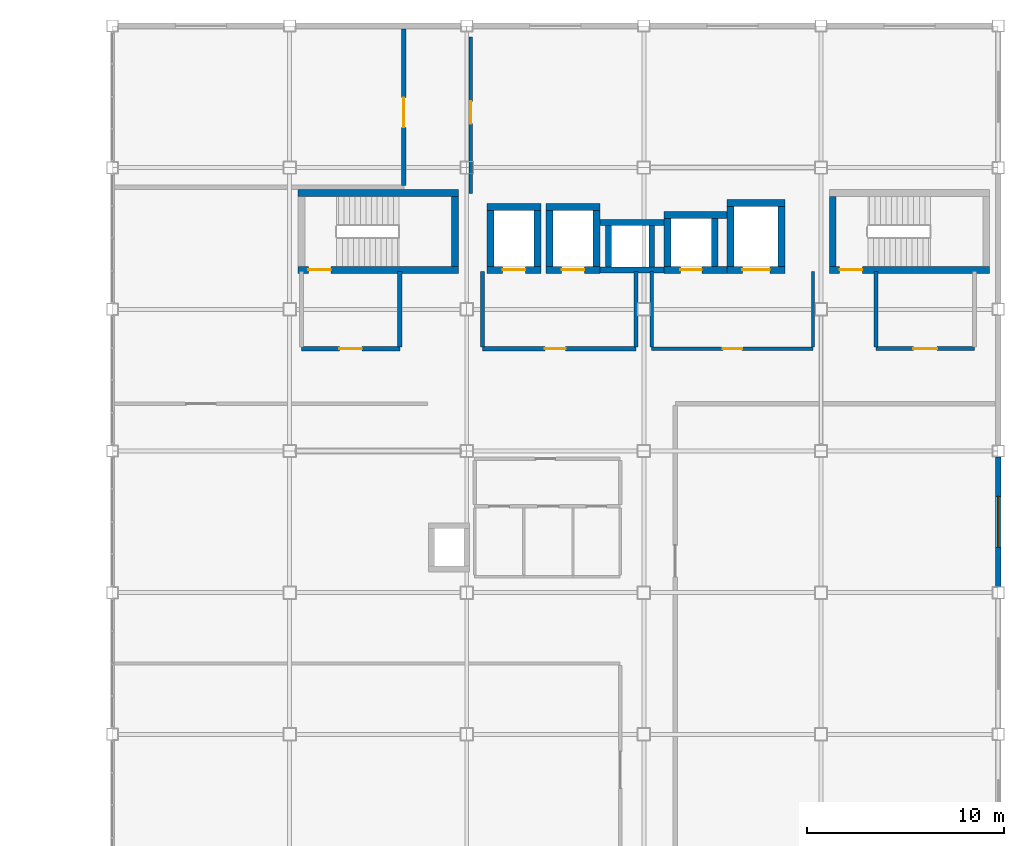
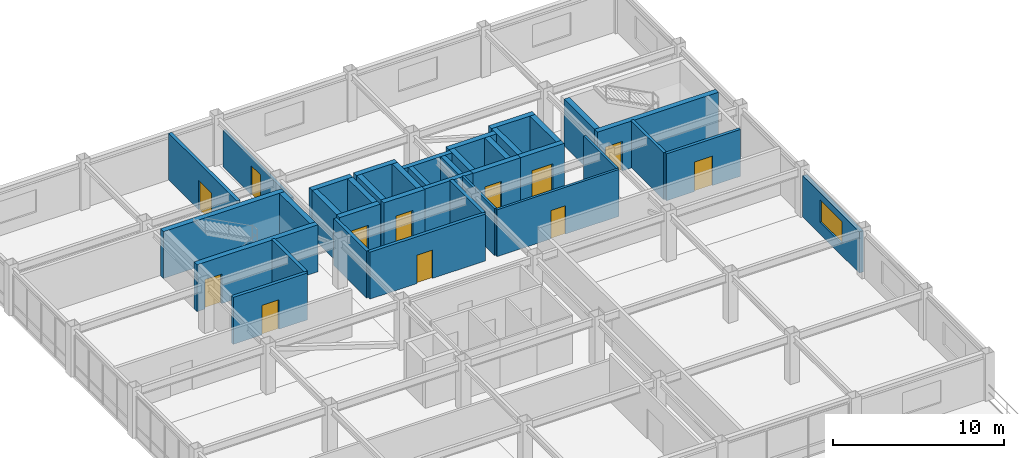
# One storey, part 29 of 34: 38 walls, 12 doors, 1 window, 13 openings.
"""IFC4 building model written with IfcOpenShell, lengths in metres."""

from ifc_helpers import new_model, si_unit, direction, frame, frame_2d, origin, place, context, subcontext, project, spatial, rectangle, extrude, material, layer, layer_set, type_object, element, fill, save


model = new_model("IFC4")

# Units and contexts
model_context = context("Model", 3, precision=1e-05, world=origin(), true_north=direction((0.0, 1.0)))
body_context = subcontext(model_context, "Body", "Model", "MODEL_VIEW")
ifc_project = project(units=[si_unit("LENGTHUNIT", "METRE"), si_unit("AREAUNIT", "SQUARE_METRE"), si_unit("VOLUMEUNIT", "CUBIC_METRE"), si_unit("PLANEANGLEUNIT", "RADIAN"), si_unit("MASSUNIT", "GRAM", prefix="KILO")], contexts=[model_context])

# Site, building, storey
site_placement = place(None, origin())
site = spatial("IfcSite", under=ifc_project, at=site_placement, CompositionType="ELEMENT")
building_placement = place(site_placement, origin())
building = spatial("IfcBuilding", under=site, at=building_placement, Name="Kazanami Central Library", CompositionType="ELEMENT")
storey_placement = place(building_placement, frame((0.0, 0.0, 17.0)))
storey = spatial("IfcBuildingStorey", under=building, at=storey_placement, Name="L05", CompositionType="ELEMENT", Elevation=17.0)

# Wall, opening, window
ifc_material_1 = material(Name="Concrete Fc36 (36 MPa)", Category="concrete")
ifc_layer_1 = layer(ifc_material_1, 0.199951171875, Name="Concrete Fc36 (36 MPa)")
ifc_material_2 = material(Name="Extruded Polystyrene XPS", Category="earth")
ifc_layer_2 = layer(ifc_material_2, 0.050048828125, Name="Extruded Polystyrene XPS")
ifc_material_3 = material(Name="Honed Inada Granite", Category="masonry")
ifc_layer_3 = layer(ifc_material_3, 0.030029296875, Name="Honed Inada Granite")
ifc_layer_set_1 = layer_set([ifc_layer_1, ifc_layer_2, ifc_layer_3], Name="Concrete Fc36 (36 MPa)")
wall_type_1 = type_object("IfcWallType", Name="WAL-EW-280", PredefinedType="STANDARD", material=ifc_layer_set_1)
wall_1_placement = place(storey_placement, frame((162.0, 71.699951171875, 0.0), z_axis=(0.0, 0.0, 1.0), x_axis=(0.0, -1.0, 0.0)))
wall_1 = element("IfcWall", 1, at=wall_1_placement, inside=storey, type_object=wall_type_1, Name="Exterior Facade Wall EW-280 L05 E-19-09", PredefinedType="STANDARD", context=body_context, shape_type="SweptSolid", body=[
    extrude(rectangle(XDim=6.599853515625, YDim=0.280029296875, at=frame_2d((3.2998046875, 0.0))), origin(), (0.0, 0.0, 1.0), 2.93994140625),
])
opening_1_placement = place(wall_1_placement, frame((2.0, 0.0, 0.85009765625)))
opening_1 = element("IfcOpeningElement", 2, at=opening_1_placement, cuts=wall_1, Name="Opening WN-13", PredefinedType="OPENING", context=body_context, shape_type="SweptSolid", body=[
    extrude(rectangle(XDim=2.60009765625, YDim=1.60009765625, at=frame_2d((1.300048828125, 0.800048828125))), frame((0.0, 0.15185546875, 0.0), z_axis=(0.0, -1.0, 0.0), x_axis=(1.0, 0.0, 0.0)), (0.0, 0.0, 1.0), 0.303955078125),
])
ifc_material_4 = material(Name="Low-E Insulated Triple Glass", Category="glass")
window_type = type_object("IfcWindowType", Name="WIN-WN-13", PartitioningType="DOUBLE_PANEL_VERTICAL", PredefinedType="WINDOW", material=ifc_material_4)
window_placement = place(opening_1_placement, origin())
window = element("IfcWindow", 3, at=window_placement, inside=storey, type_object=window_type, Name="Facade Window WN-13 L05 E-19-09", OverallHeight=1.60009765625, OverallWidth=2.60009765625, PartitioningType="DOUBLE_PANEL_VERTICAL", PredefinedType="WINDOW", context=body_context, shape_type="SweptSolid", body=[
    extrude(rectangle(XDim=2.60009765625, YDim=1.60009765625, at=frame_2d((1.300048828125, 0.800048828125))), frame((0.0, 0.030029296875, 0.0), z_axis=(0.0, -1.0, 0.0), x_axis=(1.0, 0.0, 0.0)), (0.0, 0.0, 1.0), 0.06005859375),
])
fill(opening_1, window)

# Wall, opening, door
ifc_material_5 = material(Name="Fire-Resistant Gypsum Board GB-F", Category="gypsum")
ifc_layer_4 = layer(ifc_material_5, 0.1650390625, Name="Fire-Resistant Gypsum Board GB-F")
ifc_layer_set_2 = layer_set([ifc_layer_4], Name="Fire-Resistant Gypsum Board GB-F")
wall_type_2 = type_object("IfcWallType", Name="WAL-FW-165", PredefinedType="PARTITIONING", material=ifc_layer_set_2)
wall_2_placement = place(storey_placement, frame((144.39990234375, 77.199951171875, 0.0), z_axis=(0.0, 0.0, 1.0), x_axis=(1.0, 0.0, 0.0)))
wall_2 = element("IfcWall", 4, at=wall_2_placement, inside=storey, type_object=wall_type_2, Name="Interior Partition FW-165 L05 LOBBY-V2 (South)", PredefinedType="PARTITIONING", context=body_context, shape_type="SweptSolid", body=[
    extrude(rectangle(XDim=8.2001953125, YDim=0.1650390625, at=frame_2d((4.10009765625, 0.0))), origin(), (0.0, 0.0, 1.0), 3.340087890625),
])
opening_2_placement = place(wall_2_placement, frame((3.610107421875, 0.0, 0.0)))
opening_2 = element("IfcOpeningElement", 5, at=opening_2_placement, cuts=wall_2, Name="Opening FD30-3", PredefinedType="OPENING", context=body_context, shape_type="SweptSolid", body=[
    extrude(rectangle(XDim=0.97998046875, YDim=2.02001953125, at=frame_2d((0.489990234375, 1.010009765625))), frame((0.0, 0.094482421875, 0.0), z_axis=(0.0, -1.0, 0.0), x_axis=(1.0, 0.0, 0.0)), (0.0, 0.0, 1.0), 0.18896484375),
])
ifc_material_6 = material(Name="Cold-Rolled Steel SPCC", Category="steel")
door_type_1 = type_object("IfcDoorType", Name="DOR-FD30-3", OperationType="NOTDEFINED", PredefinedType="DOOR", material=ifc_material_6)
door_1_placement = place(opening_2_placement, frame((0.97998046875, 0.0, 0.0), z_axis=(0.0, 0.0, 1.0), x_axis=(-1.0, 0.0, 0.0)))
door_1 = element("IfcDoor", 6, at=door_1_placement, inside=storey, type_object=door_type_1, Name="Interior Door FD30-3 L05 LOBBY-V2", OperationType="SINGLE_SWING_LEFT", OverallHeight=2.02001953125, OverallWidth=0.97998046875, PredefinedType="DOOR", context=body_context, shape_type="SweptSolid", body=[
    extrude(rectangle(XDim=0.97998046875, YDim=2.02001953125, at=frame_2d((0.489990234375, 1.010009765625))), frame((0.0, 0.02490234375, 0.0), z_axis=(0.0, -1.0, 0.0), x_axis=(1.0, 0.0, 0.0)), (0.0, 0.0, 1.0), 0.050048828125),
])
fill(opening_2, door_1)

# Walls
for number, where, z_axis, x_axis, name in (
    (7, (144.39990234375, 77.2900390625, 0.0), (0.0, 0.0, 1.0), (0.0, 1.0, 0.0), "Interior Partition FW-165 L05 LOBBY-V2 (West)"),
    (8, (152.60009765625, 77.2900390625, 0.0), (0.0, 0.0, 1.0), (0.0, 1.0, 0.0), "Interior Partition FW-165 L05 LOBBY-V2 (East)"),
):
    element("IfcWall", number, at=place(storey_placement, frame(where, z_axis=z_axis, x_axis=x_axis)), inside=storey, type_object=wall_type_2, Name=name, PredefinedType="PARTITIONING", context=body_context, shape_type="SweptSolid", body=[
        extrude(rectangle(XDim=3.820068359375, YDim=0.1650390625, at=frame_2d((1.91015625, 0.0))), origin(), (0.0, 0.0, 1.0), 3.340087890625),
    ])

# Wall, opening, door
ifc_layer_5 = layer(ifc_material_5, 0.179931640625, Name="Fire-Resistant Gypsum Board GB-F")
ifc_layer_set_3 = layer_set([ifc_layer_5], Name="Fire-Resistant Gypsum Board GB-F")
wall_type_3 = type_object("IfcWallType", Name="WAL-FW-180", PredefinedType="PARTITIONING", material=ifc_layer_set_3)
wall_3_placement = place(storey_placement, frame((135.199951171875, 85.090087890625, 0.0), z_axis=(0.0, 0.0, 1.0), x_axis=(0.0, 1.0, 0.0)))
wall_3 = element("IfcWall", 9, at=wall_3_placement, inside=storey, type_object=wall_type_3, Name="Interior Partition FW-180 L05 RM-16 (West)", PredefinedType="PARTITIONING", context=body_context, shape_type="SweptSolid", body=[
    extrude(rectangle(XDim=7.94482421875, YDim=0.179931640625, at=frame_2d((3.972412109375, 0.0))), origin(), (0.0, 0.0, 1.0), 2.6201171875),
])
opening_3_placement = place(wall_3_placement, frame((3.550048828125, 0.0, 0.0)))
opening_3 = element("IfcOpeningElement", 10, at=opening_3_placement, cuts=wall_3, Name="Opening FD30-8", PredefinedType="OPENING", context=body_context, shape_type="SweptSolid", body=[
    extrude(rectangle(XDim=1.1201171875, YDim=2.080078125, at=frame_2d((0.56005859375, 1.0400390625))), frame((0.0, 0.10205078125, 0.0), z_axis=(0.0, -1.0, 0.0), x_axis=(1.0, 0.0, 0.0)), (0.0, 0.0, 1.0), 0.203857421875),
])
door_type_2 = type_object("IfcDoorType", Name="DOR-FD30-8", OperationType="NOTDEFINED", PredefinedType="DOOR", material=ifc_material_6)
door_2_placement = place(opening_3_placement, origin())
door_2 = element("IfcDoor", 11, at=door_2_placement, inside=storey, type_object=door_type_2, Name="Interior Door FD30-8 L05 RM-16", OperationType="SINGLE_SWING_RIGHT", OverallHeight=2.080078125, OverallWidth=1.1201171875, PredefinedType="DOOR", context=body_context, shape_type="SweptSolid", body=[
    extrude(rectangle(XDim=1.1201171875, YDim=2.080078125, at=frame_2d((0.56005859375, 1.0400390625))), frame((0.0, 0.02490234375, 0.0), z_axis=(0.0, -1.0, 0.0), x_axis=(1.0, 0.0, 0.0)), (0.0, 0.0, 1.0), 0.050048828125),
])
fill(opening_3, door_2)

ifc_layer_6 = layer(ifc_material_5, 0.199951171875, Name="Fire-Resistant Gypsum Board GB-F")
ifc_layer_set_4 = layer_set([ifc_layer_6], Name="Fire-Resistant Gypsum Board GB-F")
wall_type_4 = type_object("IfcWallType", Name="WAL-FW-200", PredefinedType="PARTITIONING", material=ifc_layer_set_4)
wall_4_placement = place(storey_placement, frame((155.800048828125, 77.199951171875, 0.0), z_axis=(0.0, 0.0, 1.0), x_axis=(1.0, 0.0, 0.0)))
wall_4 = element("IfcWall", 12, at=wall_4_placement, inside=storey, type_object=wall_type_4, Name="Interior Partition FW-200 L05 VEST-ST-02 (South)", PredefinedType="PARTITIONING", context=body_context, shape_type="SweptSolid", body=[
    extrude(rectangle(XDim=5.0, YDim=0.199951171875, at=frame_2d((2.5, 0.0))), origin(), (0.0, 0.0, 1.0), 3.340087890625),
])
opening_4_placement = place(wall_4_placement, frame((1.89990234375, 0.0, 0.0)))
opening_4 = element("IfcOpeningElement", 13, at=opening_4_placement, cuts=wall_4, Name="Opening FD60-1", PredefinedType="OPENING", context=body_context, shape_type="SweptSolid", body=[
    extrude(rectangle(XDim=1.199951171875, YDim=2.10009765625, at=frame_2d((0.60009765625, 1.050048828125))), frame((0.0, 0.11181640625, 0.0), z_axis=(0.0, -1.0, 0.0), x_axis=(1.0, 0.0, 0.0)), (0.0, 0.0, 1.0), 0.223876953125),
])
door_type_3 = type_object("IfcDoorType", Name="DOR-FD60-1", OperationType="NOTDEFINED", PredefinedType="DOOR", material=ifc_material_6)
door_3_placement = place(opening_4_placement, origin())
door_3 = element("IfcDoor", 14, at=door_3_placement, inside=storey, type_object=door_type_3, Name="Interior Door FD60-1 L05 VEST-ST-02", OperationType="SINGLE_SWING_LEFT", OverallHeight=2.10009765625, OverallWidth=1.199951171875, PredefinedType="DOOR", context=body_context, shape_type="SweptSolid", body=[
    extrude(rectangle(XDim=1.199951171875, YDim=2.10009765625, at=frame_2d((0.60009765625, 1.050048828125))), frame((0.0, 0.02490234375, 0.0), z_axis=(0.0, -1.0, 0.0), x_axis=(1.0, 0.0, 0.0)), (0.0, 0.0, 1.0), 0.050048828125),
])
fill(opening_4, door_3)

# Wall
wall_5_placement = place(storey_placement, frame((155.800048828125, 77.2900390625, 0.0), z_axis=(0.0, 0.0, 1.0), x_axis=(0.0, 1.0, 0.0)))
element("IfcWall", 15, at=wall_5_placement, inside=storey, type_object=wall_type_4, Name="Interior Partition FW-200 L05 VEST-ST-02 (West)", PredefinedType="PARTITIONING", context=body_context, shape_type="SweptSolid", body=[
    extrude(rectangle(XDim=3.820068359375, YDim=0.199951171875, at=frame_2d((1.91015625, 0.0))), origin(), (0.0, 0.0, 1.0), 3.340087890625),
])

# Wall, opening, door
ifc_layer_7 = layer(ifc_material_5, 0.219970703125, Name="Fire-Resistant Gypsum Board GB-F")
ifc_layer_set_5 = layer_set([ifc_layer_7], Name="Fire-Resistant Gypsum Board GB-F")
wall_type_5 = type_object("IfcWallType", Name="WAL-FW-220", PredefinedType="PARTITIONING", material=ifc_layer_set_5)
wall_6_placement = place(storey_placement, frame((126.60009765625, 77.199951171875, 0.0), z_axis=(0.0, 0.0, 1.0), x_axis=(1.0, 0.0, 0.0)))
wall_6 = element("IfcWall", 16, at=wall_6_placement, inside=storey, type_object=wall_type_5, Name="Interior Partition FW-220 L05 VEST-ST-01 (South)", PredefinedType="PARTITIONING", context=body_context, shape_type="SweptSolid", body=[
    extrude(rectangle(XDim=5.0, YDim=0.219970703125, at=frame_2d((2.5, 0.0))), origin(), (0.0, 0.0, 1.0), 3.340087890625),
])
opening_5_placement = place(wall_6_placement, frame((1.925048828125, 0.0, 0.0)))
opening_5 = element("IfcOpeningElement", 17, at=opening_5_placement, cuts=wall_6, Name="Opening FD60-2", PredefinedType="OPENING", context=body_context, shape_type="SweptSolid", body=[
    extrude(rectangle(XDim=1.14990234375, YDim=2.10009765625, at=frame_2d((0.574951171875, 1.050048828125))), frame((0.0, 0.1220703125, 0.0), z_axis=(0.0, -1.0, 0.0), x_axis=(1.0, 0.0, 0.0)), (0.0, 0.0, 1.0), 0.243896484375),
])
door_type_4 = type_object("IfcDoorType", Name="DOR-FD60-2", OperationType="NOTDEFINED", PredefinedType="DOOR", material=ifc_material_6)
door_4_placement = place(opening_5_placement, origin())
door_4 = element("IfcDoor", 18, at=door_4_placement, inside=storey, type_object=door_type_4, Name="Interior Door FD60-2 L05 VEST-ST-01", OperationType="SINGLE_SWING_RIGHT", OverallHeight=2.10009765625, OverallWidth=1.14990234375, PredefinedType="DOOR", context=body_context, shape_type="SweptSolid", body=[
    extrude(rectangle(XDim=1.14990234375, YDim=2.10009765625, at=frame_2d((0.574951171875, 1.050048828125))), frame((0.0, 0.02490234375, 0.0), z_axis=(0.0, -1.0, 0.0), x_axis=(1.0, 0.0, 0.0)), (0.0, 0.0, 1.0), 0.050048828125),
])
fill(opening_5, door_4)

# Wall
wall_7_placement = place(storey_placement, frame((131.60009765625, 77.2900390625, 0.0), z_axis=(0.0, 0.0, 1.0), x_axis=(0.0, 1.0, 0.0)))
element("IfcWall", 19, at=wall_7_placement, inside=storey, type_object=wall_type_5, Name="Interior Partition FW-220 L05 VEST-ST-01 (East)", PredefinedType="PARTITIONING", context=body_context, shape_type="SweptSolid", body=[
    extrude(rectangle(XDim=3.820068359375, YDim=0.219970703125, at=frame_2d((1.91015625, 0.0))), origin(), (0.0, 0.0, 1.0), 3.340087890625),
])

# Wall, opening, door
wall_8_placement = place(storey_placement, frame((135.800048828125, 77.199951171875, 0.0), z_axis=(0.0, 0.0, 1.0), x_axis=(1.0, 0.0, 0.0)))
wall_8 = element("IfcWall", 20, at=wall_8_placement, inside=storey, type_object=wall_type_5, Name="Interior Partition FW-220 L05 LOBBY-FF (South)", PredefinedType="PARTITIONING", context=body_context, shape_type="SweptSolid", body=[
    extrude(rectangle(XDim=7.800048828125, YDim=0.219970703125, at=frame_2d((3.89990234375, 0.0))), origin(), (0.0, 0.0, 1.0), 3.340087890625),
])
opening_6_placement = place(wall_8_placement, frame((3.175048828125, 0.0, 0.0)))
opening_6 = element("IfcOpeningElement", 21, at=opening_6_placement, cuts=wall_8, Name="Opening FD60-8", PredefinedType="OPENING", context=body_context, shape_type="SweptSolid", body=[
    extrude(rectangle(XDim=1.050048828125, YDim=2.02001953125, at=frame_2d((0.52490234375, 1.010009765625))), frame((0.0, 0.1220703125, 0.0), z_axis=(0.0, -1.0, 0.0), x_axis=(1.0, 0.0, 0.0)), (0.0, 0.0, 1.0), 0.243896484375),
])
door_type_5 = type_object("IfcDoorType", Name="DOR-FD60-8", OperationType="NOTDEFINED", PredefinedType="DOOR", material=ifc_material_6)
door_5_placement = place(opening_6_placement, frame((1.050048828125, 0.0, 0.0), z_axis=(0.0, 0.0, 1.0), x_axis=(-1.0, 0.0, 0.0)))
door_5 = element("IfcDoor", 22, at=door_5_placement, inside=storey, type_object=door_type_5, Name="Interior Door FD60-8 L05 LOBBY-FF", OperationType="SINGLE_SWING_RIGHT", OverallHeight=2.02001953125, OverallWidth=1.050048828125, PredefinedType="DOOR", context=body_context, shape_type="SweptSolid", body=[
    extrude(rectangle(XDim=1.050048828125, YDim=2.02001953125, at=frame_2d((0.52490234375, 1.010009765625))), frame((0.0, 0.02490234375, 0.0), z_axis=(0.0, -1.0, 0.0), x_axis=(1.0, 0.0, 0.0)), (0.0, 0.0, 1.0), 0.050048828125),
])
fill(opening_6, door_5)

# Walls
for number, where, z_axis, x_axis, name in (
    (23, (135.800048828125, 77.2900390625, 0.0), (0.0, 0.0, 1.0), (0.0, 1.0, 0.0), "Interior Partition FW-220 L05 LOBBY-FF (West)"),
    (24, (143.60009765625, 77.2900390625, 0.0), (0.0, 0.0, 1.0), (0.0, 1.0, 0.0), "Interior Partition FW-220 L05 LOBBY-FF (East)"),
):
    element("IfcWall", number, at=place(storey_placement, frame(where, z_axis=z_axis, x_axis=x_axis)), inside=storey, type_object=wall_type_5, Name=name, PredefinedType="PARTITIONING", context=body_context, shape_type="SweptSolid", body=[
        extrude(rectangle(XDim=3.820068359375, YDim=0.219970703125, at=frame_2d((1.91015625, 0.0))), origin(), (0.0, 0.0, 1.0), 3.340087890625),
    ])

# Wall, opening, door
wall_9_placement = place(storey_placement, frame((131.800048828125, 85.489990234375, 0.0), z_axis=(0.0, 0.0, 1.0), x_axis=(0.0, 1.0, 0.0)))
wall_9 = element("IfcWall", 25, at=wall_9_placement, inside=storey, type_object=wall_type_5, Name="Interior Partition FW-220 L05 RM-15 (East)", PredefinedType="PARTITIONING", context=body_context, shape_type="SweptSolid", body=[
    extrude(rectangle(XDim=7.965087890625, YDim=0.219970703125, at=frame_2d((3.982421875, 0.0))), origin(), (0.0, 0.0, 1.0), 3.340087890625),
])
opening_7_placement = place(wall_9_placement, frame((2.9599609375, 0.0, 0.0)))
opening_7 = element("IfcOpeningElement", 26, at=opening_7_placement, cuts=wall_9, Name="Opening FD60-6", PredefinedType="OPENING", context=body_context, shape_type="SweptSolid", body=[
    extrude(rectangle(XDim=1.5, YDim=2.10009765625, at=frame_2d((0.75, 1.050048828125))), frame((0.0, 0.1220703125, 0.0), z_axis=(0.0, -1.0, 0.0), x_axis=(1.0, 0.0, 0.0)), (0.0, 0.0, 1.0), 0.243896484375),
])
door_type_6 = type_object("IfcDoorType", Name="DOR-FD60-6", OperationType="DOUBLE_DOOR_SINGLE_SWING", PredefinedType="DOOR", material=ifc_material_6)
door_6_placement = place(opening_7_placement, origin())
door_6 = element("IfcDoor", 27, at=door_6_placement, inside=storey, type_object=door_type_6, Name="Interior Door FD60-6 L05 RM-15", OperationType="DOUBLE_DOOR_SINGLE_SWING", OverallHeight=2.10009765625, OverallWidth=1.5, PredefinedType="DOOR", context=body_context, shape_type="SweptSolid", body=[
    extrude(rectangle(XDim=1.5, YDim=2.10009765625, at=frame_2d((0.75, 1.050048828125))), frame((0.0, 0.02490234375, 0.0), z_axis=(0.0, -1.0, 0.0), x_axis=(1.0, 0.0, 0.0)), (0.0, 0.0, 1.0), 0.050048828125),
])
fill(opening_7, door_6)

# Walls
ifc_layer_8 = layer(ifc_material_1, 0.300048828125, Name="Concrete Fc36 (36 MPa)")
ifc_layer_set_6 = layer_set([ifc_layer_8], Name="Concrete Fc36 (36 MPa)")
wall_type_6 = type_object("IfcWallType", Name="WAL-SW-300", PredefinedType="SHEAR", material=ifc_layer_set_6)
for number, where, z_axis, x_axis, name in (
    (28, (141.77490234375, 81.199951171875, 0.0), (0.0, 0.0, 1.0), (1.0, 0.0, 0.0), "Service Riser Wall RSR-V2-A S L05"),
    (29, (141.77490234375, 83.60009765625, 0.0), (0.0, 0.0, 1.0), (1.0, 0.0, 0.0), "Service Riser Wall RSR-V2-A N L05"),
):
    element("IfcWall", number, at=place(storey_placement, frame(where, z_axis=z_axis, x_axis=x_axis)), inside=storey, type_object=wall_type_6, Name=name, PredefinedType="SHEAR", context=body_context, shape_type="SweptSolid", body=[
        extrude(rectangle(XDim=3.25, YDim=0.300048828125, at=frame_2d((1.625, 0.0))), origin(), (0.0, 0.0, 1.0), 3.340087890625),
    ])
for number, where, z_axis, x_axis, name in (
    (30, (142.199951171875, 81.35009765625, 0.0), (0.0, 0.0, 1.0), (0.0, 1.0, 0.0), "Service Riser Wall RSR-V2-A W L05"),
    (31, (144.39990234375, 81.35009765625, 0.0), (0.0, 0.0, 1.0), (0.0, 1.0, 0.0), "Service Riser Wall RSR-V2-A E L05"),
):
    element("IfcWall", number, at=place(storey_placement, frame(where, z_axis=z_axis, x_axis=x_axis)), inside=storey, type_object=wall_type_6, Name=name, PredefinedType="SHEAR", context=body_context, shape_type="SweptSolid", body=[
        extrude(rectangle(XDim=2.099853515625, YDim=0.300048828125, at=frame_2d((1.0498046875, 0.0))), origin(), (0.0, 0.0, 1.0), 3.340087890625),
    ])

# Wall, opening, door
ifc_layer_9 = layer(ifc_material_1, 0.35009765625, Name="Concrete Fc36 (36 MPa)")
ifc_layer_set_7 = layer_set([ifc_layer_9], Name="Concrete Fc36 (36 MPa)")
wall_type_7 = type_object("IfcWallType", Name="WAL-SW-350", PredefinedType="SHEAR", material=ifc_layer_set_7)
wall_10_placement = place(storey_placement, frame((126.425048828125, 81.199951171875, 0.0), z_axis=(0.0, 0.0, 1.0), x_axis=(1.0, 0.0, 0.0)))
wall_10 = element("IfcWall", 32, at=wall_10_placement, inside=storey, type_object=wall_type_7, Name="Stair Core Wall ST-01 South L05", PredefinedType="SHEAR", context=body_context, shape_type="SweptSolid", body=[
    extrude(rectangle(XDim=8.14990234375, YDim=0.35009765625, at=frame_2d((4.074951171875, 0.0))), origin(), (0.0, 0.0, 1.0), 3.340087890625),
])
opening_8_placement = place(wall_10_placement, frame((0.52490234375, 0.0, 0.0)))
opening_8 = element("IfcOpeningElement", 33, at=opening_8_placement, cuts=wall_10, Name="Opening FD60-2", PredefinedType="OPENING", context=body_context, shape_type="SweptSolid", body=[
    extrude(rectangle(XDim=1.14990234375, YDim=2.10009765625, at=frame_2d((0.574951171875, 1.050048828125))), frame((0.0, 0.18701171875, 0.0), z_axis=(0.0, -1.0, 0.0), x_axis=(1.0, 0.0, 0.0)), (0.0, 0.0, 1.0), 0.3740234375),
])
door_7_placement = place(opening_8_placement, origin())
door_7 = element("IfcDoor", 34, at=door_7_placement, inside=storey, type_object=door_type_4, Name="Escape Stair ST-01 Fire Door L05", OperationType="SINGLE_SWING_RIGHT", OverallHeight=2.10009765625, OverallWidth=1.14990234375, PredefinedType="DOOR", context=body_context, shape_type="SweptSolid", body=[
    extrude(rectangle(XDim=1.14990234375, YDim=2.10009765625, at=frame_2d((0.574951171875, 1.050048828125))), frame((0.0, 0.02490234375, 0.0), z_axis=(0.0, -1.0, 0.0), x_axis=(1.0, 0.0, 0.0)), (0.0, 0.0, 1.0), 0.050048828125),
])
fill(opening_8, door_7)

# Walls
wall_11_placement = place(storey_placement, frame((126.425048828125, 85.10009765625, 0.0), z_axis=(0.0, 0.0, 1.0), x_axis=(1.0, 0.0, 0.0)))
element("IfcWall", 35, at=wall_11_placement, inside=storey, type_object=wall_type_7, Name="Stair Core Wall ST-01 North L05", PredefinedType="SHEAR", context=body_context, shape_type="SweptSolid", body=[
    extrude(rectangle(XDim=8.14990234375, YDim=0.35009765625, at=frame_2d((4.074951171875, 0.0))), origin(), (0.0, 0.0, 1.0), 3.340087890625),
])
wall_12_placement = place(storey_placement, frame((134.39990234375, 81.375, 0.0), z_axis=(0.0, 0.0, 1.0), x_axis=(0.0, 1.0, 0.0)))
element("IfcWall", 36, at=wall_12_placement, inside=storey, type_object=wall_type_7, Name="Stair Core Wall ST-01 East L05", PredefinedType="SHEAR", context=body_context, shape_type="SweptSolid", body=[
    extrude(rectangle(XDim=3.550048828125, YDim=0.35009765625, at=frame_2d((1.77490234375, 0.0))), origin(), (0.0, 0.0, 1.0), 3.340087890625),
])

# Wall, opening, door
wall_13_placement = place(storey_placement, frame((153.425048828125, 81.199951171875, 0.0), z_axis=(0.0, 0.0, 1.0), x_axis=(1.0, 0.0, 0.0)))
wall_13 = element("IfcWall", 37, at=wall_13_placement, inside=storey, type_object=wall_type_7, Name="Stair Core Wall ST-02 South L05", PredefinedType="SHEAR", context=body_context, shape_type="SweptSolid", body=[
    extrude(rectangle(XDim=8.14990234375, YDim=0.35009765625, at=frame_2d((4.074951171875, 0.0))), origin(), (0.0, 0.0, 1.0), 3.340087890625),
])
opening_9_placement = place(wall_13_placement, frame((0.52490234375, 0.0, 0.0)))
opening_9 = element("IfcOpeningElement", 38, at=opening_9_placement, cuts=wall_13, Name="Opening FD60-2", PredefinedType="OPENING", context=body_context, shape_type="SweptSolid", body=[
    extrude(rectangle(XDim=1.14990234375, YDim=2.10009765625, at=frame_2d((0.574951171875, 1.050048828125))), frame((0.0, 0.18701171875, 0.0), z_axis=(0.0, -1.0, 0.0), x_axis=(1.0, 0.0, 0.0)), (0.0, 0.0, 1.0), 0.3740234375),
])
door_8_placement = place(opening_9_placement, origin())
door_8 = element("IfcDoor", 39, at=door_8_placement, inside=storey, type_object=door_type_4, Name="Escape Stair ST-02 Fire Door L05", OperationType="SINGLE_SWING_RIGHT", OverallHeight=2.10009765625, OverallWidth=1.14990234375, PredefinedType="DOOR", context=body_context, shape_type="SweptSolid", body=[
    extrude(rectangle(XDim=1.14990234375, YDim=2.10009765625, at=frame_2d((0.574951171875, 1.050048828125))), frame((0.0, 0.02490234375, 0.0), z_axis=(0.0, -1.0, 0.0), x_axis=(1.0, 0.0, 0.0)), (0.0, 0.0, 1.0), 0.050048828125),
])
fill(opening_9, door_8)

# Wall
wall_14_placement = place(storey_placement, frame((153.60009765625, 81.375, 0.0), z_axis=(0.0, 0.0, 1.0), x_axis=(0.0, 1.0, 0.0)))
element("IfcWall", 40, at=wall_14_placement, inside=storey, type_object=wall_type_7, Name="Stair Core Wall ST-02 West L05", PredefinedType="SHEAR", context=body_context, shape_type="SweptSolid", body=[
    extrude(rectangle(XDim=3.550048828125, YDim=0.35009765625, at=frame_2d((1.77490234375, 0.0))), origin(), (0.0, 0.0, 1.0), 3.340087890625),
])

# Wall, opening, door
wall_15_placement = place(storey_placement, frame((136.02490234375, 81.199951171875, 0.0), z_axis=(0.0, 0.0, 1.0), x_axis=(1.0, 0.0, 0.0)))
wall_15 = element("IfcWall", 41, at=wall_15_placement, inside=storey, type_object=wall_type_7, Name="Lift Shaft Wall EL-F1 South L05", PredefinedType="SHEAR", context=body_context, shape_type="SweptSolid", body=[
    extrude(rectangle(XDim=2.75, YDim=0.35009765625, at=frame_2d((1.375, 0.0))), origin(), (0.0, 0.0, 1.0), 3.340087890625),
])
opening_10_placement = place(wall_15_placement, frame((0.800048828125, 0.0, 0.0)))
opening_10 = element("IfcOpeningElement", 42, at=opening_10_placement, cuts=wall_15, Name="Opening LD-02", PredefinedType="OPENING", context=body_context, shape_type="SweptSolid", body=[
    extrude(rectangle(XDim=1.14990234375, YDim=2.1201171875, at=frame_2d((0.574951171875, 1.06005859375))), frame((0.0, 0.18701171875, 0.0), z_axis=(0.0, -1.0, 0.0), x_axis=(1.0, 0.0, 0.0)), (0.0, 0.0, 1.0), 0.3740234375),
])
ifc_material_7 = material(Name="Stainless Steel SUS304", Category="steel")
door_type_7 = type_object("IfcDoorType", Name="DOR-LD-02", OperationType="SLIDING_TO_LEFT", PredefinedType="DOOR", material=ifc_material_7)
door_9_placement = place(opening_10_placement, origin())
door_9 = element("IfcDoor", 43, at=door_9_placement, inside=storey, type_object=door_type_7, Name="Lift Landing Sliding Door EL-F1 (L05)", OperationType="SLIDING_TO_LEFT", OverallHeight=2.1201171875, OverallWidth=1.14990234375, PredefinedType="DOOR", context=body_context, shape_type="SweptSolid", body=[
    extrude(rectangle(XDim=1.14990234375, YDim=2.1201171875, at=frame_2d((0.574951171875, 1.06005859375))), frame((0.0, 0.02490234375, 0.0), z_axis=(0.0, -1.0, 0.0), x_axis=(1.0, 0.0, 0.0)), (0.0, 0.0, 1.0), 0.050048828125),
])
fill(opening_10, door_9)

# Walls
wall_16_placement = place(storey_placement, frame((136.02490234375, 84.39990234375, 0.0), z_axis=(0.0, 0.0, 1.0), x_axis=(1.0, 0.0, 0.0)))
element("IfcWall", 44, at=wall_16_placement, inside=storey, type_object=wall_type_7, Name="Lift Shaft Wall EL-F1 North L05", PredefinedType="SHEAR", context=body_context, shape_type="SweptSolid", body=[
    extrude(rectangle(XDim=2.75, YDim=0.35009765625, at=frame_2d((1.375, 0.0))), origin(), (0.0, 0.0, 1.0), 3.340087890625),
])
for number, where, z_axis, x_axis, name in (
    (45, (136.199951171875, 81.375, 0.0), (0.0, 0.0, 1.0), (0.0, 1.0, 0.0), "Lift Shaft Wall EL-F1 West L05"),
    (46, (138.60009765625, 81.375, 0.0), (0.0, 0.0, 1.0), (0.0, 1.0, 0.0), "Lift Shaft Wall EL-F1 East L05"),
):
    element("IfcWall", number, at=place(storey_placement, frame(where, z_axis=z_axis, x_axis=x_axis)), inside=storey, type_object=wall_type_7, Name=name, PredefinedType="SHEAR", context=body_context, shape_type="SweptSolid", body=[
        extrude(rectangle(XDim=2.85009765625, YDim=0.35009765625, at=frame_2d((1.425048828125, 0.0))), origin(), (0.0, 0.0, 1.0), 3.340087890625),
    ])

# Wall, opening, door
wall_17_placement = place(storey_placement, frame((139.02490234375, 81.199951171875, 0.0), z_axis=(0.0, 0.0, 1.0), x_axis=(1.0, 0.0, 0.0)))
wall_17 = element("IfcWall", 47, at=wall_17_placement, inside=storey, type_object=wall_type_7, Name="Lift Shaft Wall EL-F2 South L05", PredefinedType="SHEAR", context=body_context, shape_type="SweptSolid", body=[
    extrude(rectangle(XDim=2.75, YDim=0.35009765625, at=frame_2d((1.375, 0.0))), origin(), (0.0, 0.0, 1.0), 3.340087890625),
])
opening_11_placement = place(wall_17_placement, frame((0.800048828125, 0.0, 0.0)))
opening_11 = element("IfcOpeningElement", 48, at=opening_11_placement, cuts=wall_17, Name="Opening LD-02", PredefinedType="OPENING", context=body_context, shape_type="SweptSolid", body=[
    extrude(rectangle(XDim=1.14990234375, YDim=2.1201171875, at=frame_2d((0.574951171875, 1.06005859375))), frame((0.0, 0.18701171875, 0.0), z_axis=(0.0, -1.0, 0.0), x_axis=(1.0, 0.0, 0.0)), (0.0, 0.0, 1.0), 0.3740234375),
])
door_10_placement = place(opening_11_placement, origin())
door_10 = element("IfcDoor", 49, at=door_10_placement, inside=storey, type_object=door_type_7, Name="Lift Landing Sliding Door EL-F2 (L05)", OperationType="SLIDING_TO_LEFT", OverallHeight=2.1201171875, OverallWidth=1.14990234375, PredefinedType="DOOR", context=body_context, shape_type="SweptSolid", body=[
    extrude(rectangle(XDim=1.14990234375, YDim=2.1201171875, at=frame_2d((0.574951171875, 1.06005859375))), frame((0.0, 0.02490234375, 0.0), z_axis=(0.0, -1.0, 0.0), x_axis=(1.0, 0.0, 0.0)), (0.0, 0.0, 1.0), 0.050048828125),
])
fill(opening_11, door_10)

# Walls
wall_18_placement = place(storey_placement, frame((139.02490234375, 84.39990234375, 0.0), z_axis=(0.0, 0.0, 1.0), x_axis=(1.0, 0.0, 0.0)))
element("IfcWall", 50, at=wall_18_placement, inside=storey, type_object=wall_type_7, Name="Lift Shaft Wall EL-F2 North L05", PredefinedType="SHEAR", context=body_context, shape_type="SweptSolid", body=[
    extrude(rectangle(XDim=2.75, YDim=0.35009765625, at=frame_2d((1.375, 0.0))), origin(), (0.0, 0.0, 1.0), 3.340087890625),
])
for number, where, z_axis, x_axis, name in (
    (51, (139.199951171875, 81.375, 0.0), (0.0, 0.0, 1.0), (0.0, 1.0, 0.0), "Lift Shaft Wall EL-F2 West L05"),
    (52, (141.60009765625, 81.375, 0.0), (0.0, 0.0, 1.0), (0.0, 1.0, 0.0), "Lift Shaft Wall EL-F2 East L05"),
):
    element("IfcWall", number, at=place(storey_placement, frame(where, z_axis=z_axis, x_axis=x_axis)), inside=storey, type_object=wall_type_7, Name=name, PredefinedType="SHEAR", context=body_context, shape_type="SweptSolid", body=[
        extrude(rectangle(XDim=2.85009765625, YDim=0.35009765625, at=frame_2d((1.425048828125, 0.0))), origin(), (0.0, 0.0, 1.0), 3.340087890625),
    ])

# Wall, opening, door
wall_19_placement = place(storey_placement, frame((145.02490234375, 81.199951171875, 0.0), z_axis=(0.0, 0.0, 1.0), x_axis=(1.0, 0.0, 0.0)))
wall_19 = element("IfcWall", 53, at=wall_19_placement, inside=storey, type_object=wall_type_7, Name="Lift Shaft Wall EL-P1 South L05", PredefinedType="SHEAR", context=body_context, shape_type="SweptSolid", body=[
    extrude(rectangle(XDim=3.2001953125, YDim=0.35009765625, at=frame_2d((1.60009765625, 0.0))), origin(), (0.0, 0.0, 1.0), 3.340087890625),
])
opening_12_placement = place(wall_19_placement, frame((0.824951171875, 0.0, 0.0)))
opening_12 = element("IfcOpeningElement", 54, at=opening_12_placement, cuts=wall_19, Name="Opening LD-01", PredefinedType="OPENING", context=body_context, shape_type="SweptSolid", body=[
    extrude(rectangle(XDim=1.10009765625, YDim=2.10009765625, at=frame_2d((0.550048828125, 1.050048828125))), frame((0.0, 0.18701171875, 0.0), z_axis=(0.0, -1.0, 0.0), x_axis=(1.0, 0.0, 0.0)), (0.0, 0.0, 1.0), 0.3740234375),
])
door_type_8 = type_object("IfcDoorType", Name="DOR-LD-01", OperationType="SLIDING_TO_LEFT", PredefinedType="DOOR", material=ifc_material_7)
door_11_placement = place(opening_12_placement, origin())
door_11 = element("IfcDoor", 55, at=door_11_placement, inside=storey, type_object=door_type_8, Name="Lift Landing Sliding Door EL-P1 (L05)", OperationType="SLIDING_TO_LEFT", OverallHeight=2.10009765625, OverallWidth=1.10009765625, PredefinedType="DOOR", context=body_context, shape_type="SweptSolid", body=[
    extrude(rectangle(XDim=1.10009765625, YDim=2.10009765625, at=frame_2d((0.550048828125, 1.050048828125))), frame((0.0, 0.02490234375, 0.0), z_axis=(0.0, -1.0, 0.0), x_axis=(1.0, 0.0, 0.0)), (0.0, 0.0, 1.0), 0.050048828125),
])
fill(opening_12, door_11)

# Walls
wall_20_placement = place(storey_placement, frame((145.02490234375, 84.0, 0.0), z_axis=(0.0, 0.0, 1.0), x_axis=(1.0, 0.0, 0.0)))
element("IfcWall", 56, at=wall_20_placement, inside=storey, type_object=wall_type_7, Name="Lift Shaft Wall EL-P1 North L05", PredefinedType="SHEAR", context=body_context, shape_type="SweptSolid", body=[
    extrude(rectangle(XDim=3.2001953125, YDim=0.35009765625, at=frame_2d((1.60009765625, 0.0))), origin(), (0.0, 0.0, 1.0), 3.340087890625),
])
for number, where, z_axis, x_axis, name in (
    (57, (145.199951171875, 81.375, 0.0), (0.0, 0.0, 1.0), (0.0, 1.0, 0.0), "Lift Shaft Wall EL-P1 West L05"),
    (58, (147.60009765625, 81.375, 0.0), (0.0, 0.0, 1.0), (0.0, 1.0, 0.0), "Lift Shaft Wall EL-P1 East L05"),
):
    element("IfcWall", number, at=place(storey_placement, frame(where, z_axis=z_axis, x_axis=x_axis)), inside=storey, type_object=wall_type_7, Name=name, PredefinedType="SHEAR", context=body_context, shape_type="SweptSolid", body=[
        extrude(rectangle(XDim=2.449951171875, YDim=0.35009765625, at=frame_2d((1.22509765625, 0.0))), origin(), (0.0, 0.0, 1.0), 3.340087890625),
    ])

# Wall, opening, door
wall_21_placement = place(storey_placement, frame((148.22509765625, 81.199951171875, 0.0), z_axis=(0.0, 0.0, 1.0), x_axis=(1.0, 0.0, 0.0)))
wall_21 = element("IfcWall", 59, at=wall_21_placement, inside=storey, type_object=wall_type_7, Name="Lift Shaft Wall EL-S1 South L05", PredefinedType="SHEAR", context=body_context, shape_type="SweptSolid", body=[
    extrude(rectangle(XDim=2.949951171875, YDim=0.35009765625, at=frame_2d((1.47509765625, 0.0))), origin(), (0.0, 0.0, 1.0), 3.340087890625),
])
opening_13_placement = place(wall_21_placement, frame((0.77490234375, 0.0, 0.0)))
opening_13 = element("IfcOpeningElement", 60, at=opening_13_placement, cuts=wall_21, Name="Opening LD-03", PredefinedType="OPENING", context=body_context, shape_type="SweptSolid", body=[
    extrude(rectangle(XDim=1.39990234375, YDim=2.14990234375, at=frame_2d((0.699951171875, 1.074951171875))), frame((0.0, 0.18701171875, 0.0), z_axis=(0.0, -1.0, 0.0), x_axis=(1.0, 0.0, 0.0)), (0.0, 0.0, 1.0), 0.3740234375),
])
door_type_9 = type_object("IfcDoorType", Name="DOR-LD-03", OperationType="SLIDING_TO_LEFT", PredefinedType="DOOR", material=ifc_material_7)
door_12_placement = place(opening_13_placement, origin())
door_12 = element("IfcDoor", 61, at=door_12_placement, inside=storey, type_object=door_type_9, Name="Lift Landing Sliding Door EL-S1 (L05)", OperationType="SLIDING_TO_LEFT", OverallHeight=2.14990234375, OverallWidth=1.39990234375, PredefinedType="DOOR", context=body_context, shape_type="SweptSolid", body=[
    extrude(rectangle(XDim=1.39990234375, YDim=2.14990234375, at=frame_2d((0.699951171875, 1.074951171875))), frame((0.0, 0.02490234375, 0.0), z_axis=(0.0, -1.0, 0.0), x_axis=(1.0, 0.0, 0.0)), (0.0, 0.0, 1.0), 0.050048828125),
])
fill(opening_13, door_12)

# Walls
wall_22_placement = place(storey_placement, frame((148.22509765625, 84.60009765625, 0.0), z_axis=(0.0, 0.0, 1.0), x_axis=(1.0, 0.0, 0.0)))
element("IfcWall", 62, at=wall_22_placement, inside=storey, type_object=wall_type_7, Name="Lift Shaft Wall EL-S1 North L05", PredefinedType="SHEAR", context=body_context, shape_type="SweptSolid", body=[
    extrude(rectangle(XDim=2.949951171875, YDim=0.35009765625, at=frame_2d((1.47509765625, 0.0))), origin(), (0.0, 0.0, 1.0), 3.340087890625),
])
for number, where, z_axis, x_axis, name in (
    (63, (148.39990234375, 81.375, 0.0), (0.0, 0.0, 1.0), (0.0, 1.0, 0.0), "Lift Shaft Wall EL-S1 West L05"),
    (64, (151.0, 81.375, 0.0), (0.0, 0.0, 1.0), (0.0, 1.0, 0.0), "Lift Shaft Wall EL-S1 East L05"),
):
    element("IfcWall", number, at=place(storey_placement, frame(where, z_axis=z_axis, x_axis=x_axis)), inside=storey, type_object=wall_type_7, Name=name, PredefinedType="SHEAR", context=body_context, shape_type="SweptSolid", body=[
        extrude(rectangle(XDim=3.050048828125, YDim=0.35009765625, at=frame_2d((1.52490234375, 0.0))), origin(), (0.0, 0.0, 1.0), 3.340087890625),
    ])

save(model, "model.ifc")
